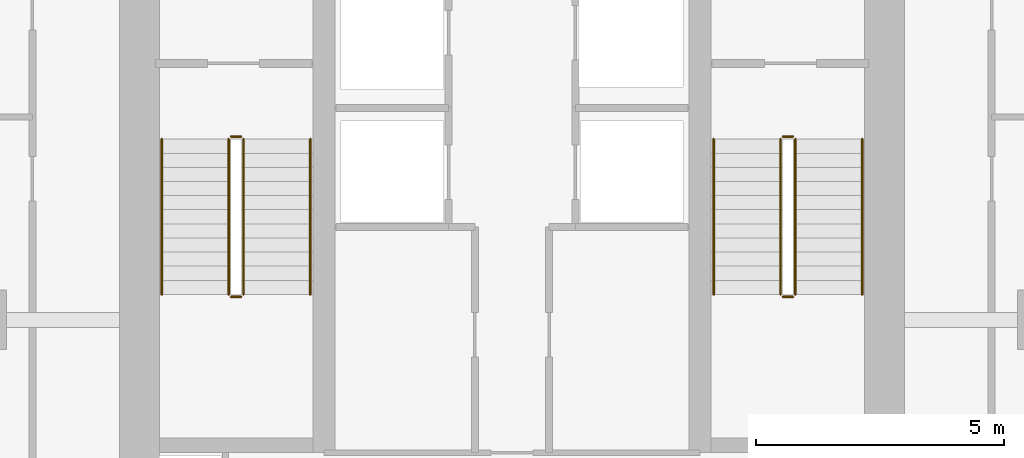
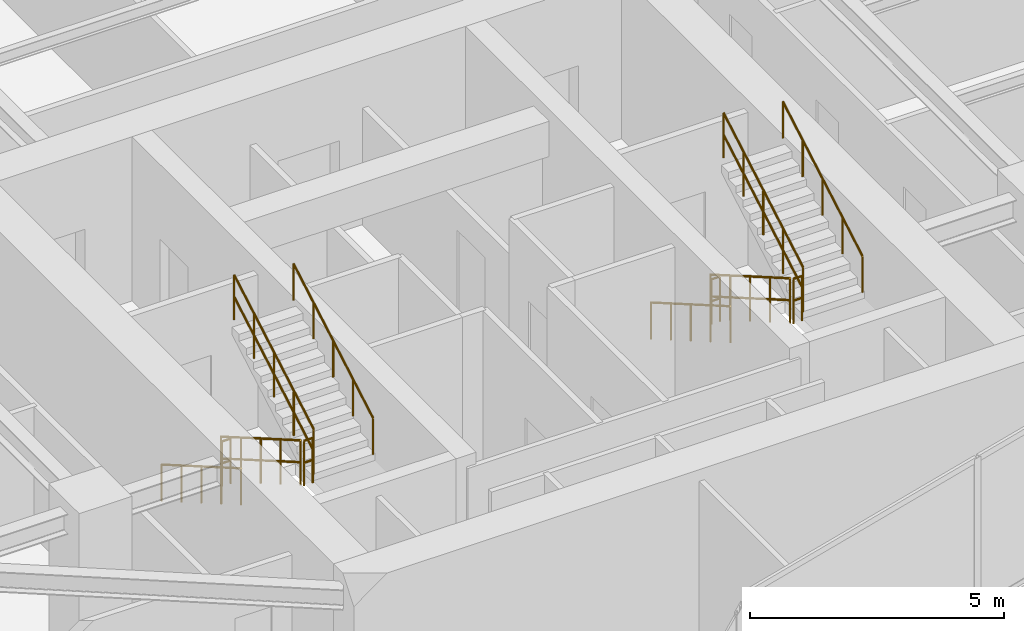
# One storey, part 19 of 20: 12 railings.
"""IFC4 building model written with IfcOpenShell, lengths in metres."""

from ifc_helpers import new_model, si_unit, direction, frame, origin, origin_2d, place, context, subcontext, project, spatial, circle, extrude, material, layer, layer_set, type_object, element, save


model = new_model("IFC4")

# Units and contexts
model_context = context("Model", 3, precision=1e-05, world=origin(), true_north=direction((0.0, 1.0)))
body_context = subcontext(model_context, "Body", "Model", "MODEL_VIEW")
ifc_project = project(units=[si_unit("LENGTHUNIT", "METRE"), si_unit("AREAUNIT", "SQUARE_METRE"), si_unit("VOLUMEUNIT", "CUBIC_METRE"), si_unit("PLANEANGLEUNIT", "RADIAN"), si_unit("MASSUNIT", "GRAM", prefix="KILO")], contexts=[model_context])

# Site, building, storey
site_placement = place(None, origin())
site = spatial("IfcSite", under=ifc_project, at=site_placement, CompositionType="ELEMENT")
building_placement = place(site_placement, origin())
building = spatial("IfcBuilding", under=site, at=building_placement, Name="Krantzveldt Concourse Tower", CompositionType="ELEMENT")
storey_placement = place(building_placement, frame((0.0, 0.0, 351.39990234375)))
storey = spatial("IfcBuildingStorey", under=building, at=storey_placement, Name="L86", CompositionType="ELEMENT", Elevation=351.39990234375)

# Railings
ifc_material = material(Name="Stainless steel 316L", Category="steel")
ifc_layer_1 = layer(ifc_material, 0.06005859375, Name="Stainless steel 316L", Category="steel")
ifc_layer_set_1 = layer_set([ifc_layer_1], Name="Stainless steel 316L (RL-GUARD-1120)")
railing_type_1 = type_object("IfcRailingType", Name="RL-GUARD-1120", PredefinedType="GUARDRAIL", material=ifc_layer_set_1)
railing_1_placement = place(storey_placement, frame((30.280029296875, 19.550048828125, 0.164794921875)))
element("IfcRailing", 1, at=railing_1_placement, inside=storey, type_object=railing_type_1, Name="L86 ST-1 stair guard 1", PredefinedType="GUARDRAIL", context=body_context, shape_type="SweptSolid", body=[
    extrude(circle(Radius=0.02392578125, at=origin_2d()), frame((0.0, 0.0, 1.076171875), z_axis=(0.0, -0.865989039225, 0.500062979975), x_axis=(1.0, 0.0, 0.0)), (0.0, 0.0, 1.0), 3.6201171875),
    extrude(circle(Radius=0.02392578125, at=origin_2d()), frame((0.0, 0.0, 0.550048828125), z_axis=(0.0, -0.865989039225, 0.500062979975), x_axis=(1.0, 0.0, 0.0)), (0.0, 0.0, 1.0), 3.6201171875),
    extrude(circle(Radius=0.02099609375, at=origin_2d()), origin(), (0.0, 0.0, 1.0), 1.052001953125),
    extrude(circle(Radius=0.02099609375, at=origin_2d()), frame((0.0, -0.78369140625, 0.45263671875)), (0.0, 0.0, 1.0), 1.052001953125),
    extrude(circle(Radius=0.02099609375, at=origin_2d()), frame((0.0, -1.5673828125, 0.9052734375)), (0.0, 0.0, 1.0), 1.052001953125),
    extrude(circle(Radius=0.02099609375, at=origin_2d()), frame((0.0, -2.351318359375, 1.357666015625)), (0.0, 0.0, 1.0), 1.052001953125),
    extrude(circle(Radius=0.02099609375, at=origin_2d()), frame((0.0, -3.135009765625, 1.810302734375)), (0.0, 0.0, 1.0), 1.052001953125),
])
railing_2_placement = place(storey_placement, frame((30.330078125, 16.364990234375, 1.97509765625)))
element("IfcRailing", 2, at=railing_2_placement, inside=storey, type_object=railing_type_1, Name="L86 ST-1 stair guard 2", PredefinedType="GUARDRAIL", context=body_context, shape_type="SweptSolid", body=[
    extrude(circle(Radius=0.02392578125, at=origin_2d()), frame((0.0, 0.0, 1.076171875), z_axis=(1.0, 0.0, 0.0), x_axis=(0.0, 1.0, 0.0)), (0.0, 0.0, 1.0), 0.199951171875),
    extrude(circle(Radius=0.02392578125, at=origin_2d()), frame((0.0, 0.0, 0.550048828125), z_axis=(1.0, 0.0, 0.0), x_axis=(0.0, 1.0, 0.0)), (0.0, 0.0, 1.0), 0.199951171875),
    extrude(circle(Radius=0.02099609375, at=origin_2d()), origin(), (0.0, 0.0, 1.0), 1.052001953125),
    extrude(circle(Radius=0.02099609375, at=origin_2d()), frame((0.199951171875, 0.0, 0.0)), (0.0, 0.0, 1.0), 1.052001953125),
])
railing_3_placement = place(storey_placement, frame((30.580078125, 16.4150390625, 2.1396484375)))
element("IfcRailing", 3, at=railing_3_placement, inside=storey, type_object=railing_type_1, Name="L86 ST-1 stair guard 3", PredefinedType="GUARDRAIL", context=body_context, shape_type="SweptSolid", body=[
    extrude(circle(Radius=0.02392578125, at=origin_2d()), frame((0.0, 0.0, 1.076171875), z_axis=(0.0, 0.865959834175, 0.500113552702), x_axis=(-1.0, 0.0, 0.0)), (0.0, 0.0, 1.0), 3.620361328125),
    extrude(circle(Radius=0.02392578125, at=origin_2d()), frame((0.0, 0.0, 0.550048828125), z_axis=(0.0, 0.865959834175, 0.500113552702), x_axis=(-1.0, 0.0, 0.0)), (0.0, 0.0, 1.0), 3.620361328125),
    extrude(circle(Radius=0.02099609375, at=origin_2d()), origin(), (0.0, 0.0, 1.0), 1.052001953125),
    extrude(circle(Radius=0.02099609375, at=origin_2d()), frame((0.0, 0.78369140625, 0.45263671875)), (0.0, 0.0, 1.0), 1.052001953125),
    extrude(circle(Radius=0.02099609375, at=origin_2d()), frame((0.0, 1.5673828125, 0.9052734375)), (0.0, 0.0, 1.0), 1.052001953125),
    extrude(circle(Radius=0.02099609375, at=origin_2d()), frame((0.0, 2.351318359375, 1.35791015625)), (0.0, 0.0, 1.0), 1.052001953125),
    extrude(circle(Radius=0.02099609375, at=origin_2d()), frame((0.0, 3.135009765625, 1.810546875)), (0.0, 0.0, 1.0), 1.052001953125),
])
railing_4_placement = place(storey_placement, frame((30.330078125, 19.60009765625, 0.0)))
element("IfcRailing", 4, at=railing_4_placement, inside=storey, type_object=railing_type_1, Name="L86 ST-1 stair guard 4", PredefinedType="GUARDRAIL", context=body_context, shape_type="SweptSolid", body=[
    extrude(circle(Radius=0.02392578125, at=origin_2d()), frame((0.0, 0.0, 1.076171875), z_axis=(1.0, 0.0, 0.0), x_axis=(0.0, 1.0, 0.0)), (0.0, 0.0, 1.0), 0.199951171875),
    extrude(circle(Radius=0.02392578125, at=origin_2d()), frame((0.0, 0.0, 0.550048828125), z_axis=(1.0, 0.0, 0.0), x_axis=(0.0, 1.0, 0.0)), (0.0, 0.0, 1.0), 0.199951171875),
    extrude(circle(Radius=0.02099609375, at=origin_2d()), origin(), (0.0, 0.0, 1.0), 1.052001953125),
    extrude(circle(Radius=0.02099609375, at=origin_2d()), frame((0.199951171875, 0.0, 0.0)), (0.0, 0.0, 1.0), 1.052001953125),
])
railing_5_placement = place(storey_placement, frame((41.419921875, 19.550048828125, 0.164794921875)))
element("IfcRailing", 5, at=railing_5_placement, inside=storey, type_object=railing_type_1, Name="L86 ST-2 stair guard 1", PredefinedType="GUARDRAIL", context=body_context, shape_type="SweptSolid", body=[
    extrude(circle(Radius=0.02392578125, at=origin_2d()), frame((0.0, 0.0, 1.076171875), z_axis=(0.0, -0.865989039225, 0.500062979975), x_axis=(1.0, 0.0, 0.0)), (0.0, 0.0, 1.0), 3.6201171875),
    extrude(circle(Radius=0.02392578125, at=origin_2d()), frame((0.0, 0.0, 0.550048828125), z_axis=(0.0, -0.865989039225, 0.500062979975), x_axis=(1.0, 0.0, 0.0)), (0.0, 0.0, 1.0), 3.6201171875),
    extrude(circle(Radius=0.02099609375, at=origin_2d()), origin(), (0.0, 0.0, 1.0), 1.052001953125),
    extrude(circle(Radius=0.02099609375, at=origin_2d()), frame((0.0, -0.78369140625, 0.45263671875)), (0.0, 0.0, 1.0), 1.052001953125),
    extrude(circle(Radius=0.02099609375, at=origin_2d()), frame((0.0, -1.5673828125, 0.9052734375)), (0.0, 0.0, 1.0), 1.052001953125),
    extrude(circle(Radius=0.02099609375, at=origin_2d()), frame((0.0, -2.351318359375, 1.357666015625)), (0.0, 0.0, 1.0), 1.052001953125),
    extrude(circle(Radius=0.02099609375, at=origin_2d()), frame((0.0, -3.135009765625, 1.810302734375)), (0.0, 0.0, 1.0), 1.052001953125),
])
railing_6_placement = place(storey_placement, frame((41.469970703125, 16.364990234375, 1.97509765625)))
element("IfcRailing", 6, at=railing_6_placement, inside=storey, type_object=railing_type_1, Name="L86 ST-2 stair guard 2", PredefinedType="GUARDRAIL", context=body_context, shape_type="SweptSolid", body=[
    extrude(circle(Radius=0.02392578125, at=origin_2d()), frame((0.0, 0.0, 1.076171875), z_axis=(1.0, 0.0, 0.0), x_axis=(0.0, 1.0, 0.0)), (0.0, 0.0, 1.0), 0.199951171875),
    extrude(circle(Radius=0.02392578125, at=origin_2d()), frame((0.0, 0.0, 0.550048828125), z_axis=(1.0, 0.0, 0.0), x_axis=(0.0, 1.0, 0.0)), (0.0, 0.0, 1.0), 0.199951171875),
    extrude(circle(Radius=0.02099609375, at=origin_2d()), origin(), (0.0, 0.0, 1.0), 1.052001953125),
    extrude(circle(Radius=0.02099609375, at=origin_2d()), frame((0.199951171875, 0.0, 0.0)), (0.0, 0.0, 1.0), 1.052001953125),
])
railing_7_placement = place(storey_placement, frame((41.719970703125, 16.4150390625, 2.1396484375)))
element("IfcRailing", 7, at=railing_7_placement, inside=storey, type_object=railing_type_1, Name="L86 ST-2 stair guard 3", PredefinedType="GUARDRAIL", context=body_context, shape_type="SweptSolid", body=[
    extrude(circle(Radius=0.02392578125, at=origin_2d()), frame((0.0, 0.0, 1.076171875), z_axis=(0.0, 0.865959834175, 0.500113552702), x_axis=(-1.0, 0.0, 0.0)), (0.0, 0.0, 1.0), 3.620361328125),
    extrude(circle(Radius=0.02392578125, at=origin_2d()), frame((0.0, 0.0, 0.550048828125), z_axis=(0.0, 0.865959834175, 0.500113552702), x_axis=(-1.0, 0.0, 0.0)), (0.0, 0.0, 1.0), 3.620361328125),
    extrude(circle(Radius=0.02099609375, at=origin_2d()), origin(), (0.0, 0.0, 1.0), 1.052001953125),
    extrude(circle(Radius=0.02099609375, at=origin_2d()), frame((0.0, 0.78369140625, 0.45263671875)), (0.0, 0.0, 1.0), 1.052001953125),
    extrude(circle(Radius=0.02099609375, at=origin_2d()), frame((0.0, 1.5673828125, 0.9052734375)), (0.0, 0.0, 1.0), 1.052001953125),
    extrude(circle(Radius=0.02099609375, at=origin_2d()), frame((0.0, 2.351318359375, 1.35791015625)), (0.0, 0.0, 1.0), 1.052001953125),
    extrude(circle(Radius=0.02099609375, at=origin_2d()), frame((0.0, 3.135009765625, 1.810546875)), (0.0, 0.0, 1.0), 1.052001953125),
])
railing_8_placement = place(storey_placement, frame((41.469970703125, 19.60009765625, 0.0)))
element("IfcRailing", 8, at=railing_8_placement, inside=storey, type_object=railing_type_1, Name="L86 ST-2 stair guard 4", PredefinedType="GUARDRAIL", context=body_context, shape_type="SweptSolid", body=[
    extrude(circle(Radius=0.02392578125, at=origin_2d()), frame((0.0, 0.0, 1.076171875), z_axis=(1.0, 0.0, 0.0), x_axis=(0.0, 1.0, 0.0)), (0.0, 0.0, 1.0), 0.199951171875),
    extrude(circle(Radius=0.02392578125, at=origin_2d()), frame((0.0, 0.0, 0.550048828125), z_axis=(1.0, 0.0, 0.0), x_axis=(0.0, 1.0, 0.0)), (0.0, 0.0, 1.0), 0.199951171875),
    extrude(circle(Radius=0.02099609375, at=origin_2d()), origin(), (0.0, 0.0, 1.0), 1.052001953125),
    extrude(circle(Radius=0.02099609375, at=origin_2d()), frame((0.199951171875, 0.0, 0.0)), (0.0, 0.0, 1.0), 1.052001953125),
])
ifc_layer_2 = layer(ifc_material, 0.050048828125, Name="Stainless steel 316L", Category="steel")
ifc_layer_set_2 = layer_set([ifc_layer_2], Name="Stainless steel 316L (RL-HANDRAIL-920)")
railing_type_2 = type_object("IfcRailingType", Name="RL-HANDRAIL-920", PredefinedType="HANDRAIL", material=ifc_layer_set_2)
railing_9_placement = place(storey_placement, frame((28.929931640625, 19.550048828125, 0.164794921875)))
element("IfcRailing", 9, at=railing_9_placement, inside=storey, type_object=railing_type_2, Name="L86 ST-1 stair handrail 1", PredefinedType="HANDRAIL", context=body_context, shape_type="SweptSolid", body=[
    extrude(circle(Radius=0.02392578125, at=origin_2d()), frame((0.0, 0.0, 0.8759765625), z_axis=(0.0, -0.865989039225, 0.500062979975), x_axis=(1.0, 0.0, 0.0)), (0.0, 0.0, 1.0), 3.6201171875),
    extrude(circle(Radius=0.02099609375, at=origin_2d()), origin(), (0.0, 0.0, 1.0), 0.851806640625),
    extrude(circle(Radius=0.02099609375, at=origin_2d()), frame((0.0, -0.78369140625, 0.45263671875)), (0.0, 0.0, 1.0), 0.851806640625),
    extrude(circle(Radius=0.02099609375, at=origin_2d()), frame((0.0, -1.5673828125, 0.9052734375)), (0.0, 0.0, 1.0), 0.851806640625),
    extrude(circle(Radius=0.02099609375, at=origin_2d()), frame((0.0, -2.351318359375, 1.357666015625)), (0.0, 0.0, 1.0), 0.851806640625),
    extrude(circle(Radius=0.02099609375, at=origin_2d()), frame((0.0, -3.135009765625, 1.810302734375)), (0.0, 0.0, 1.0), 0.851806640625),
])
railing_10_placement = place(storey_placement, frame((31.929931640625, 16.4150390625, 2.1396484375)))
element("IfcRailing", 10, at=railing_10_placement, inside=storey, type_object=railing_type_2, Name="L86 ST-1 stair handrail 2", PredefinedType="HANDRAIL", context=body_context, shape_type="SweptSolid", body=[
    extrude(circle(Radius=0.02392578125, at=origin_2d()), frame((0.0, 0.0, 0.8759765625), z_axis=(0.0, 0.865959834175, 0.500113552702), x_axis=(-1.0, 0.0, 0.0)), (0.0, 0.0, 1.0), 3.620361328125),
    extrude(circle(Radius=0.02099609375, at=origin_2d()), origin(), (0.0, 0.0, 1.0), 0.851806640625),
    extrude(circle(Radius=0.02099609375, at=origin_2d()), frame((0.0, 0.78369140625, 0.45263671875)), (0.0, 0.0, 1.0), 0.851806640625),
    extrude(circle(Radius=0.02099609375, at=origin_2d()), frame((0.0, 1.5673828125, 0.9052734375)), (0.0, 0.0, 1.0), 0.851806640625),
    extrude(circle(Radius=0.02099609375, at=origin_2d()), frame((0.0, 2.351318359375, 1.35791015625)), (0.0, 0.0, 1.0), 0.851806640625),
    extrude(circle(Radius=0.02099609375, at=origin_2d()), frame((0.0, 3.135009765625, 1.810546875)), (0.0, 0.0, 1.0), 0.851806640625),
])
railing_11_placement = place(storey_placement, frame((40.070068359375, 19.550048828125, 0.164794921875)))
element("IfcRailing", 11, at=railing_11_placement, inside=storey, type_object=railing_type_2, Name="L86 ST-2 stair handrail 1", PredefinedType="HANDRAIL", context=body_context, shape_type="SweptSolid", body=[
    extrude(circle(Radius=0.02392578125, at=origin_2d()), frame((0.0, 0.0, 0.8759765625), z_axis=(0.0, -0.865989039225, 0.500062979975), x_axis=(1.0, 0.0, 0.0)), (0.0, 0.0, 1.0), 3.6201171875),
    extrude(circle(Radius=0.02099609375, at=origin_2d()), origin(), (0.0, 0.0, 1.0), 0.851806640625),
    extrude(circle(Radius=0.02099609375, at=origin_2d()), frame((0.0, -0.78369140625, 0.45263671875)), (0.0, 0.0, 1.0), 0.851806640625),
    extrude(circle(Radius=0.02099609375, at=origin_2d()), frame((0.0, -1.5673828125, 0.9052734375)), (0.0, 0.0, 1.0), 0.851806640625),
    extrude(circle(Radius=0.02099609375, at=origin_2d()), frame((0.0, -2.351318359375, 1.357666015625)), (0.0, 0.0, 1.0), 0.851806640625),
    extrude(circle(Radius=0.02099609375, at=origin_2d()), frame((0.0, -3.135009765625, 1.810302734375)), (0.0, 0.0, 1.0), 0.851806640625),
])
railing_12_placement = place(storey_placement, frame((43.070068359375, 16.4150390625, 2.1396484375)))
element("IfcRailing", 12, at=railing_12_placement, inside=storey, type_object=railing_type_2, Name="L86 ST-2 stair handrail 2", PredefinedType="HANDRAIL", context=body_context, shape_type="SweptSolid", body=[
    extrude(circle(Radius=0.02392578125, at=origin_2d()), frame((0.0, 0.0, 0.8759765625), z_axis=(0.0, 0.865959834175, 0.500113552702), x_axis=(-1.0, 0.0, 0.0)), (0.0, 0.0, 1.0), 3.620361328125),
    extrude(circle(Radius=0.02099609375, at=origin_2d()), origin(), (0.0, 0.0, 1.0), 0.851806640625),
    extrude(circle(Radius=0.02099609375, at=origin_2d()), frame((0.0, 0.78369140625, 0.45263671875)), (0.0, 0.0, 1.0), 0.851806640625),
    extrude(circle(Radius=0.02099609375, at=origin_2d()), frame((0.0, 1.5673828125, 0.9052734375)), (0.0, 0.0, 1.0), 0.851806640625),
    extrude(circle(Radius=0.02099609375, at=origin_2d()), frame((0.0, 2.351318359375, 1.35791015625)), (0.0, 0.0, 1.0), 0.851806640625),
    extrude(circle(Radius=0.02099609375, at=origin_2d()), frame((0.0, 3.135009765625, 1.810546875)), (0.0, 0.0, 1.0), 0.851806640625),
])

save(model, "model.ifc")
